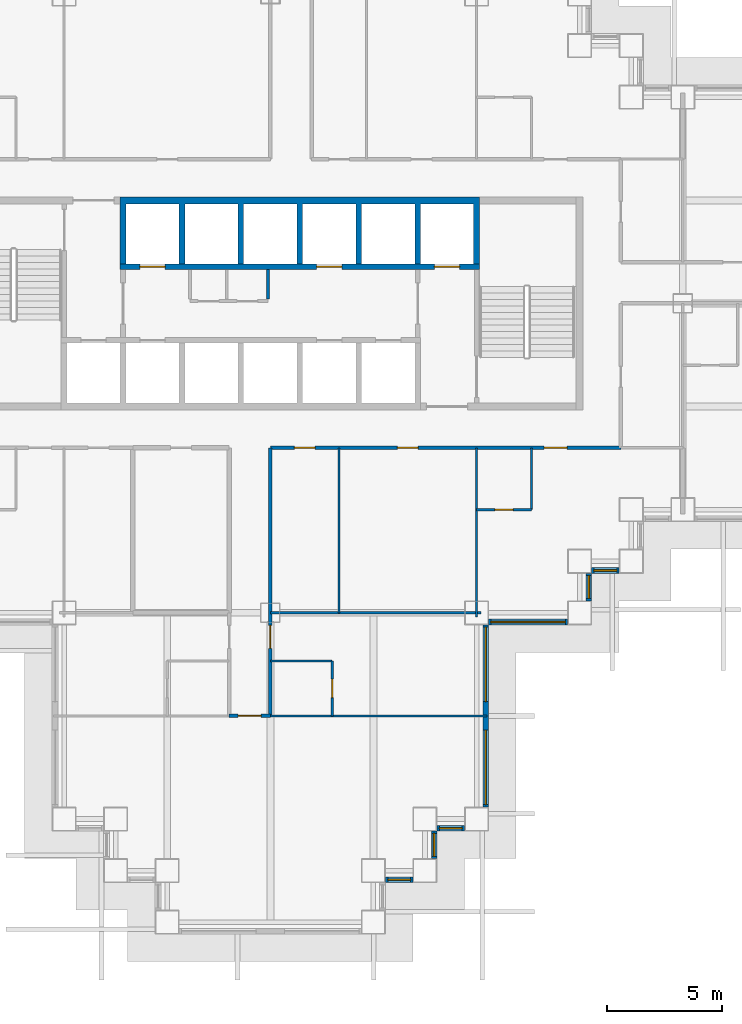
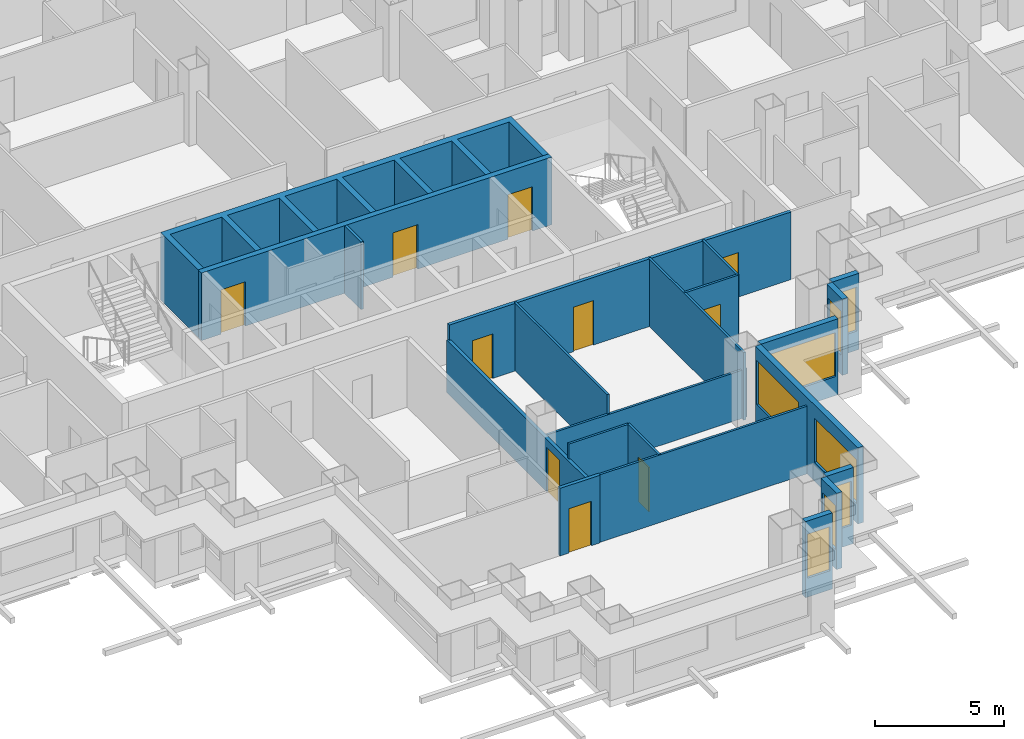
# One storey, part 5 of 15: 21 walls, 10 doors, 8 windows, 18 openings.
"""IFC4 building model written with IfcOpenShell, lengths in metres."""

from ifc_helpers import new_model, si_unit, direction, frame, frame_2d, origin, place, context, subcontext, project, spatial, polyline, rectangle, outline, extrude, material, layer, layer_set, type_object, element, fill, save


model = new_model("IFC4")

# Units and contexts
model_context = context("Model", 3, precision=1e-05, world=origin(), true_north=direction((0.0, 1.0)))
body_context = subcontext(model_context, "Body", "Model", "MODEL_VIEW")
ifc_project = project(units=[si_unit("LENGTHUNIT", "METRE"), si_unit("AREAUNIT", "SQUARE_METRE"), si_unit("VOLUMEUNIT", "CUBIC_METRE"), si_unit("PLANEANGLEUNIT", "RADIAN"), si_unit("MASSUNIT", "GRAM", prefix="KILO")], contexts=[model_context])

# Site, building, storey
site_placement = place(None, origin())
site = spatial("IfcSite", under=ifc_project, at=site_placement, CompositionType="ELEMENT")
building_placement = place(site_placement, origin())
building = spatial("IfcBuilding", under=site, at=building_placement, Name="Caravel Reach Hotel and Residences", CompositionType="ELEMENT")
storey_placement = place(building_placement, frame((0.0, 0.0, 44.39990234375)))
storey = spatial("IfcBuildingStorey", under=building, at=storey_placement, Name="L09", CompositionType="ELEMENT", Elevation=44.39990234375)

# Wall
ifc_material_1 = material(Name="Gypsum board on steel stud", Category="steel")
ifc_layer_1 = layer(ifc_material_1, 0.10009765625)
ifc_layer_set_1 = layer_set([ifc_layer_1], Name="Bathroom pod wall 100 mm")
wall_type_1 = type_object("IfcWallType", Name="Bathroom pod wall 100 mm", PredefinedType="PARTITIONING", material=ifc_layer_set_1)
wall_1_placement = place(storey_placement, frame((31.5, 11.39990234375, 0.0), z_axis=(0.0, 0.0, 1.0), x_axis=(1.0, 0.0, 0.0)))
element("IfcWall", 1, at=wall_1_placement, inside=storey, type_object=wall_type_1, Name="L09 wall w074", PredefinedType="PARTITIONING", context=body_context, shape_type="SweptSolid", body=[
    extrude(rectangle(XDim=2.699951171875, YDim=0.10009765625, at=frame_2d((1.35009765625, 0.0))), origin(), (0.0, 0.0, 1.0), 3.2001953125),
])

# Wall, opening, door
wall_2_placement = place(storey_placement, frame((40.5, 18.0, 0.0), z_axis=(0.0, 0.0, 1.0), x_axis=(1.0, 0.0, 0.0)))
wall_2 = element("IfcWall", 2, at=wall_2_placement, inside=storey, type_object=wall_type_1, Name="L09 wall w077", PredefinedType="PARTITIONING", context=body_context, shape_type="SweptSolid", body=[
    extrude(rectangle(XDim=2.39990234375, YDim=0.10009765625, at=frame_2d((1.199951171875, 0.0))), origin(), (0.0, 0.0, 1.0), 3.2001953125),
])
opening_1_placement = place(wall_2_placement, frame((0.800048828125, 0.0, 0.0)))
opening_1 = element("IfcOpeningElement", 3, at=opening_1_placement, cuts=wall_2, Name="Opening D09-049", PredefinedType="OPENING", context=body_context, shape_type="SweptSolid", body=[
    extrude(rectangle(XDim=0.800048828125, YDim=2.10009765625, at=frame_2d((0.39990234375, 1.050048828125))), frame((0.0, 0.06005859375, 0.0), z_axis=(0.0, -1.0, 0.0), x_axis=(1.0, 0.0, 0.0)), (0.0, 0.0, 1.0), 0.1201171875),
])
ifc_material_2 = material(Name="Timber and steel door leaf", Category="steel")
door_type_1 = type_object("IfcDoorType", Name="Bathroom door 800 x 2100", OperationType="SINGLE_SWING_LEFT", PredefinedType="DOOR", material=ifc_material_2)
door_1_placement = place(opening_1_placement, origin())
door_1 = element("IfcDoor", 4, at=door_1_placement, inside=storey, type_object=door_type_1, Name="door D09-049", OperationType="SINGLE_SWING_RIGHT", OverallHeight=2.10009765625, OverallWidth=0.800048828125, PredefinedType="DOOR", context=body_context, shape_type="SweptSolid", body=[
    extrude(rectangle(XDim=0.800048828125, YDim=2.10009765625, at=frame_2d((0.39990234375, 1.050048828125))), frame((0.0, 0.02490234375, 0.0), z_axis=(0.0, -1.0, 0.0), x_axis=(1.0, 0.0, 0.0)), (0.0, 0.0, 1.0), 0.050048828125),
])
fill(opening_1, door_1)

wall_3_placement = place(storey_placement, frame((34.199951171875, 9.0, 0.0), z_axis=(0.0, 0.0, 1.0), x_axis=(0.0, 1.0, 0.0)))
wall_3 = element("IfcWall", 5, at=wall_3_placement, inside=storey, type_object=wall_type_1, Name="L09 wall w097", PredefinedType="PARTITIONING", context=body_context, shape_type="SweptSolid", body=[
    extrude(rectangle(XDim=2.39990234375, YDim=0.10009765625, at=frame_2d((1.199951171875, 0.0))), origin(), (0.0, 0.0, 1.0), 3.2001953125),
])
opening_2_placement = place(wall_3_placement, frame((0.800048828125, 0.0, 0.0)))
opening_2 = element("IfcOpeningElement", 6, at=opening_2_placement, cuts=wall_3, Name="Opening D09-036", PredefinedType="OPENING", context=body_context, shape_type="SweptSolid", body=[
    extrude(rectangle(XDim=0.800048828125, YDim=2.10009765625, at=frame_2d((0.39990234375, 1.050048828125))), frame((0.0, 0.06005859375, 0.0), z_axis=(0.0, -1.0, 0.0), x_axis=(1.0, 0.0, 0.0)), (0.0, 0.0, 1.0), 0.1201171875),
])
door_2_placement = place(opening_2_placement, origin())
door_2 = element("IfcDoor", 7, at=door_2_placement, inside=storey, type_object=door_type_1, Name="door D09-036", OperationType="SINGLE_SWING_RIGHT", OverallHeight=2.10009765625, OverallWidth=0.800048828125, PredefinedType="DOOR", context=body_context, shape_type="SweptSolid", body=[
    extrude(rectangle(XDim=0.800048828125, YDim=2.10009765625, at=frame_2d((0.39990234375, 1.050048828125))), frame((0.0, 0.02490234375, 0.0), z_axis=(0.0, -1.0, 0.0), x_axis=(1.0, 0.0, 0.0)), (0.0, 0.0, 1.0), 0.050048828125),
])
fill(opening_2, door_2)

# Wall
wall_4_placement = place(storey_placement, frame((42.89990234375, 18.0, 0.0), z_axis=(0.0, 0.0, 1.0), x_axis=(0.0, 1.0, 0.0)))
element("IfcWall", 8, at=wall_4_placement, inside=storey, type_object=wall_type_1, Name="L09 wall w100", PredefinedType="PARTITIONING", context=body_context, shape_type="SweptSolid", body=[
    extrude(rectangle(XDim=2.699951171875, YDim=0.10009765625, at=frame_2d((1.35009765625, 0.0))), origin(), (0.0, 0.0, 1.0), 3.2001953125),
])

# Wall, openings, doors
ifc_material_3 = material(Name="Gypsum board on steel stud, fire-rated", Category="steel")
ifc_layer_2 = layer(ifc_material_3, 0.14990234375)
ifc_layer_set_2 = layer_set([ifc_layer_2], Name="Corridor wall 150 mm EI 60")
wall_type_2 = type_object("IfcWallType", Name="Corridor wall 150 mm EI 60", PredefinedType="PARTITIONING", material=ifc_layer_set_2)
wall_5_placement = place(storey_placement, frame((31.5, 20.699951171875, 0.0), z_axis=(0.0, 0.0, 1.0), x_axis=(1.0, 0.0, 0.0)))
wall_5 = element("IfcWall", 9, at=wall_5_placement, inside=storey, type_object=wall_type_2, Name="L09 wall w004", PredefinedType="PARTITIONING", context=body_context, shape_type="SweptSolid", body=[
    extrude(rectangle(XDim=15.300048828125, YDim=0.14990234375, at=frame_2d((7.64990234375, 0.0))), origin(), (0.0, 0.0, 1.0), 3.2001953125),
])
opening_3_placement = place(wall_5_placement, frame((11.949951171875, 0.0, 0.0)))
opening_3 = element("IfcOpeningElement", 10, at=opening_3_placement, cuts=wall_5, Name="Opening D09-048", PredefinedType="OPENING", context=body_context, shape_type="SweptSolid", body=[
    extrude(rectangle(XDim=1.0, YDim=2.10009765625, at=frame_2d((0.5, 1.050048828125))), frame((0.0, 0.0849609375, 0.0), z_axis=(0.0, -1.0, 0.0), x_axis=(1.0, 0.0, 0.0)), (0.0, 0.0, 1.0), 0.169921875),
])
opening_4_placement = place(wall_5_placement, frame((1.050048828125, 0.0, 0.0)))
opening_4 = element("IfcOpeningElement", 11, at=opening_4_placement, cuts=wall_5, Name="Opening D09-055", PredefinedType="OPENING", context=body_context, shape_type="SweptSolid", body=[
    extrude(rectangle(XDim=0.89990234375, YDim=2.10009765625, at=frame_2d((0.449951171875, 1.050048828125))), frame((0.0, 0.0849609375, 0.0), z_axis=(0.0, -1.0, 0.0), x_axis=(1.0, 0.0, 0.0)), (0.0, 0.0, 1.0), 0.169921875),
])
opening_5_placement = place(wall_5_placement, frame((5.550048828125, 0.0, 0.0)))
opening_5 = element("IfcOpeningElement", 12, at=opening_5_placement, cuts=wall_5, Name="Opening D09-056", PredefinedType="OPENING", context=body_context, shape_type="SweptSolid", body=[
    extrude(rectangle(XDim=0.89990234375, YDim=2.10009765625, at=frame_2d((0.449951171875, 1.050048828125))), frame((0.0, 0.0849609375, 0.0), z_axis=(0.0, -1.0, 0.0), x_axis=(1.0, 0.0, 0.0)), (0.0, 0.0, 1.0), 0.169921875),
])
ifc_material_4 = material(Name="Timber and steel door leaf", Category="steel")
door_type_2 = type_object("IfcDoorType", Name="Door 900 x 2100 timber", OperationType="SINGLE_SWING_LEFT", PredefinedType="DOOR", material=ifc_material_4)
door_3_placement = place(opening_4_placement, origin())
door_3 = element("IfcDoor", 13, at=door_3_placement, inside=storey, type_object=door_type_2, Name="door D09-055", OperationType="SINGLE_SWING_LEFT", OverallHeight=2.10009765625, OverallWidth=0.89990234375, PredefinedType="DOOR", context=body_context, shape_type="SweptSolid", body=[
    extrude(rectangle(XDim=0.89990234375, YDim=2.10009765625, at=frame_2d((0.449951171875, 1.050048828125))), frame((0.0, 0.02490234375, 0.0), z_axis=(0.0, -1.0, 0.0), x_axis=(1.0, 0.0, 0.0)), (0.0, 0.0, 1.0), 0.050048828125),
])
fill(opening_4, door_3)
door_4_placement = place(opening_5_placement, origin())
door_4 = element("IfcDoor", 14, at=door_4_placement, inside=storey, type_object=door_type_2, Name="door D09-056", OperationType="SINGLE_SWING_LEFT", OverallHeight=2.10009765625, OverallWidth=0.89990234375, PredefinedType="DOOR", context=body_context, shape_type="SweptSolid", body=[
    extrude(rectangle(XDim=0.89990234375, YDim=2.10009765625, at=frame_2d((0.449951171875, 1.050048828125))), frame((0.0, 0.02490234375, 0.0), z_axis=(0.0, -1.0, 0.0), x_axis=(1.0, 0.0, 0.0)), (0.0, 0.0, 1.0), 0.050048828125),
])
fill(opening_5, door_4)
ifc_material_5 = material(Name="Steel fire door leaf", Category="steel")
door_type_3 = type_object("IfcDoorType", Name="Guest room door 1000 x 2100 EI 30", OperationType="SINGLE_SWING_LEFT", PredefinedType="DOOR", material=ifc_material_5)
door_5_placement = place(opening_3_placement, origin())
door_5 = element("IfcDoor", 15, at=door_5_placement, inside=storey, type_object=door_type_3, Name="door D09-048", OperationType="SINGLE_SWING_RIGHT", OverallHeight=2.10009765625, OverallWidth=1.0, PredefinedType="DOOR", context=body_context, shape_type="SweptSolid", body=[
    extrude(rectangle(XDim=1.0, YDim=2.10009765625, at=frame_2d((0.5, 1.050048828125))), frame((0.0, 0.02490234375, 0.0), z_axis=(0.0, -1.0, 0.0), x_axis=(1.0, 0.0, 0.0)), (0.0, 0.0, 1.0), 0.050048828125),
])
fill(opening_3, door_5)

# Wall, opening, door
wall_6_placement = place(storey_placement, frame((29.699951171875, 9.0, 0.0), z_axis=(0.0, 0.0, 1.0), x_axis=(1.0, 0.0, 0.0)))
wall_6 = element("IfcWall", 16, at=wall_6_placement, inside=storey, type_object=wall_type_2, Name="L09 wall w022", PredefinedType="PARTITIONING", context=body_context, shape_type="SweptSolid", body=[
    extrude(rectangle(XDim=1.800048828125, YDim=0.14990234375, at=frame_2d((0.89990234375, 0.0))), origin(), (0.0, 0.0, 1.0), 3.2001953125),
])
opening_6_placement = place(wall_6_placement, frame((0.39990234375, 0.0, 0.0)))
opening_6 = element("IfcOpeningElement", 17, at=opening_6_placement, cuts=wall_6, Name="Opening D09-041", PredefinedType="OPENING", context=body_context, shape_type="SweptSolid", body=[
    extrude(rectangle(XDim=1.0, YDim=2.10009765625, at=frame_2d((0.5, 1.050048828125))), frame((0.0, 0.0849609375, 0.0), z_axis=(0.0, -1.0, 0.0), x_axis=(1.0, 0.0, 0.0)), (0.0, 0.0, 1.0), 0.169921875),
])
door_6_placement = place(opening_6_placement, origin())
door_6 = element("IfcDoor", 18, at=door_6_placement, inside=storey, type_object=door_type_3, Name="door D09-041", OperationType="SINGLE_SWING_LEFT", OverallHeight=2.10009765625, OverallWidth=1.0, PredefinedType="DOOR", context=body_context, shape_type="SweptSolid", body=[
    extrude(rectangle(XDim=1.0, YDim=2.10009765625, at=frame_2d((0.5, 1.050048828125))), frame((0.0, 0.02490234375, 0.0), z_axis=(0.0, -1.0, 0.0), x_axis=(1.0, 0.0, 0.0)), (0.0, 0.0, 1.0), 0.050048828125),
])
fill(opening_6, door_6)

wall_7_placement = place(storey_placement, frame((31.5, 9.0, 0.0), z_axis=(0.0, 0.0, 1.0), x_axis=(0.0, 1.0, 0.0)))
wall_7 = element("IfcWall", 19, at=wall_7_placement, inside=storey, type_object=wall_type_2, Name="L09 wall w026", PredefinedType="PARTITIONING", context=body_context, shape_type="SweptSolid", body=[
    extrude(rectangle(XDim=11.699951171875, YDim=0.14990234375, at=frame_2d((5.85009765625, 0.0))), origin(), (0.0, 0.0, 1.0), 2.47998046875),
])
opening_7_placement = place(wall_7_placement, frame((2.949951171875, 0.0, 0.0)))
opening_7 = element("IfcOpeningElement", 20, at=opening_7_placement, cuts=wall_7, Name="Opening D09-035", PredefinedType="OPENING", context=body_context, shape_type="SweptSolid", body=[
    extrude(rectangle(XDim=1.0, YDim=2.10009765625, at=frame_2d((0.5, 1.050048828125))), frame((0.0, 0.0849609375, 0.0), z_axis=(0.0, -1.0, 0.0), x_axis=(1.0, 0.0, 0.0)), (0.0, 0.0, 1.0), 0.169921875),
])
door_7_placement = place(opening_7_placement, origin())
door_7 = element("IfcDoor", 21, at=door_7_placement, inside=storey, type_object=door_type_3, Name="door D09-035", OperationType="SINGLE_SWING_RIGHT", OverallHeight=2.10009765625, OverallWidth=1.0, PredefinedType="DOOR", context=body_context, shape_type="SweptSolid", body=[
    extrude(rectangle(XDim=1.0, YDim=2.10009765625, at=frame_2d((0.5, 1.050048828125))), frame((0.0, 0.02490234375, 0.0), z_axis=(0.0, -1.0, 0.0), x_axis=(1.0, 0.0, 0.0)), (0.0, 0.0, 1.0), 0.050048828125),
])
fill(opening_7, door_7)

# Wall, opening, window
ifc_material_6 = material(Name="Insulated rainscreen wall, aluminium cladding", Category="aluminium")
ifc_layer_3 = layer(ifc_material_6, 0.25)
ifc_layer_set_3 = layer_set([ifc_layer_3], Name="EW1 Tower rainscreen wall")
wall_type_3 = type_object("IfcWallType", Name="EW1 Tower rainscreen wall", PredefinedType="SOLIDWALL", material=ifc_layer_set_3)
wall_8_placement = place(storey_placement, frame((36.52490234375, 1.85009765625, 0.0), z_axis=(0.0, 0.0, 1.0), x_axis=(1.0, 0.0, 0.0)))
wall_8 = element("IfcWall", 22, at=wall_8_placement, inside=storey, type_object=wall_type_3, Name="External wall L09 S7.1", PredefinedType="SOLIDWALL", context=body_context, shape_type="SweptSolid", body=[
    extrude(rectangle(XDim=1.2001953125, YDim=0.25, at=frame_2d((0.60009765625, 0.0))), origin(), (0.0, 0.0, 1.0), 3.60009765625),
])
opening_8_placement = place(wall_8_placement, frame((0.10009765625, 0.0, 0.89990234375)))
opening_8 = element("IfcOpeningElement", 23, at=opening_8_placement, cuts=wall_8, Name="Opening WN1", PredefinedType="OPENING", context=body_context, shape_type="SweptSolid", body=[
    extrude(rectangle(XDim=1.0, YDim=2.080078125, at=frame_2d((0.5, 1.0400390625))), frame((0.0, 0.135009765625, 0.0), z_axis=(0.0, -1.0, 0.0), x_axis=(1.0, 0.0, 0.0)), (0.0, 0.0, 1.0), 0.27001953125),
])
ifc_material_7 = material(Name="Dark low-e glazing in black aluminium frame", Category="aluminium")
window_type_1 = type_object("IfcWindowType", Name="Hotel suite corner window 1000 x 2080", PartitioningType="SINGLE_PANEL", PredefinedType="WINDOW", material=ifc_material_7)
window_1_placement = place(opening_8_placement, origin())
window_1 = element("IfcWindow", 24, at=window_1_placement, inside=storey, type_object=window_type_1, Name="Window L09 S7.1.1", OverallHeight=2.080078125, OverallWidth=1.0, PartitioningType="SINGLE_PANEL", PredefinedType="WINDOW", context=body_context, shape_type="SweptSolid", body=[
    extrude(rectangle(XDim=1.0, YDim=2.080078125, at=frame_2d((0.5, 1.0400390625))), frame((0.0, 0.030029296875, 0.0), z_axis=(0.0, -1.0, 0.0), x_axis=(1.0, 0.0, 0.0)), (0.0, 0.0, 1.0), 0.06005859375),
])
fill(opening_8, window_1)

wall_9_placement = place(storey_placement, frame((38.64990234375, 2.77490234375, 0.0), z_axis=(0.0, 0.0, 1.0), x_axis=(0.0, 1.0, 0.0)))
wall_9 = element("IfcWall", 25, at=wall_9_placement, inside=storey, type_object=wall_type_3, Name="External wall L09 E8.1", PredefinedType="SOLIDWALL", context=body_context, shape_type="SweptSolid", body=[
    extrude(rectangle(XDim=1.2001953125, YDim=0.25, at=frame_2d((0.60009765625, 0.0))), origin(), (0.0, 0.0, 1.0), 3.60009765625),
])
opening_9_placement = place(wall_9_placement, frame((0.10009765625, 0.0, 0.89990234375)))
opening_9 = element("IfcOpeningElement", 26, at=opening_9_placement, cuts=wall_9, Name="Opening WN1", PredefinedType="OPENING", context=body_context, shape_type="SweptSolid", body=[
    extrude(rectangle(XDim=1.0, YDim=2.080078125, at=frame_2d((0.5, 1.0400390625))), frame((0.0, 0.135009765625, 0.0), z_axis=(0.0, -1.0, 0.0), x_axis=(1.0, 0.0, 0.0)), (0.0, 0.0, 1.0), 0.27001953125),
])
window_2_placement = place(opening_9_placement, origin())
window_2 = element("IfcWindow", 27, at=window_2_placement, inside=storey, type_object=window_type_1, Name="Window L09 E8.1.1", OverallHeight=2.080078125, OverallWidth=1.0, PartitioningType="SINGLE_PANEL", PredefinedType="WINDOW", context=body_context, shape_type="SweptSolid", body=[
    extrude(rectangle(XDim=1.0, YDim=2.080078125, at=frame_2d((0.5, 1.0400390625))), frame((0.0, 0.030029296875, 0.0), z_axis=(0.0, -1.0, 0.0), x_axis=(1.0, 0.0, 0.0)), (0.0, 0.0, 1.0), 0.06005859375),
])
fill(opening_9, window_2)

wall_10_placement = place(storey_placement, frame((38.77490234375, 4.10009765625, 0.0), z_axis=(0.0, 0.0, 1.0), x_axis=(1.0, 0.0, 0.0)))
wall_10 = element("IfcWall", 28, at=wall_10_placement, inside=storey, type_object=wall_type_3, Name="External wall L09 S9.1", PredefinedType="SOLIDWALL", context=body_context, shape_type="SweptSolid", body=[
    extrude(rectangle(XDim=1.2001953125, YDim=0.25, at=frame_2d((0.60009765625, 0.0))), origin(), (0.0, 0.0, 1.0), 3.60009765625),
])
opening_10_placement = place(wall_10_placement, frame((0.10009765625, 0.0, 0.89990234375)))
opening_10 = element("IfcOpeningElement", 29, at=opening_10_placement, cuts=wall_10, Name="Opening WN1", PredefinedType="OPENING", context=body_context, shape_type="SweptSolid", body=[
    extrude(rectangle(XDim=1.0, YDim=2.080078125, at=frame_2d((0.5, 1.0400390625))), frame((0.0, 0.135009765625, 0.0), z_axis=(0.0, -1.0, 0.0), x_axis=(1.0, 0.0, 0.0)), (0.0, 0.0, 1.0), 0.27001953125),
])
window_3_placement = place(opening_10_placement, origin())
window_3 = element("IfcWindow", 30, at=window_3_placement, inside=storey, type_object=window_type_1, Name="Window L09 S9.1.1", OverallHeight=2.080078125, OverallWidth=1.0, PartitioningType="SINGLE_PANEL", PredefinedType="WINDOW", context=body_context, shape_type="SweptSolid", body=[
    extrude(rectangle(XDim=1.0, YDim=2.080078125, at=frame_2d((0.5, 1.0400390625))), frame((0.0, 0.030029296875, 0.0), z_axis=(0.0, -1.0, 0.0), x_axis=(1.0, 0.0, 0.0)), (0.0, 0.0, 1.0), 0.06005859375),
])
fill(opening_10, window_3)

# Wall, openings, windows
wall_11_placement = place(storey_placement, frame((40.89990234375, 5.02490234375, 0.0), z_axis=(0.0, 0.0, 1.0), x_axis=(0.0, 1.0, 0.0)))
wall_11 = element("IfcWall", 31, at=wall_11_placement, inside=storey, type_object=wall_type_3, Name="External wall L09 E10.1", PredefinedType="SOLIDWALL", context=body_context, shape_type="SweptSolid", body=[
    extrude(rectangle(XDim=7.9501953125, YDim=0.25, at=frame_2d((3.97509765625, 0.0))), origin(), (0.0, 0.0, 1.0), 3.60009765625),
])
opening_11_placement = place(wall_11_placement, frame((0.10009765625, 0.0, 0.89990234375)))
opening_11 = element("IfcOpeningElement", 32, at=opening_11_placement, cuts=wall_11, Name="Opening WN2", PredefinedType="OPENING", context=body_context, shape_type="SweptSolid", body=[
    extrude(rectangle(XDim=3.25, YDim=2.080078125, at=frame_2d((1.625, 1.0400390625))), frame((0.0, 0.135009765625, 0.0), z_axis=(0.0, -1.0, 0.0), x_axis=(1.0, 0.0, 0.0)), (0.0, 0.0, 1.0), 0.27001953125),
])
opening_12_placement = place(wall_11_placement, frame((4.60009765625, 0.0, 0.89990234375)))
opening_12 = element("IfcOpeningElement", 33, at=opening_12_placement, cuts=wall_11, Name="Opening WN2", PredefinedType="OPENING", context=body_context, shape_type="SweptSolid", body=[
    extrude(rectangle(XDim=3.25, YDim=2.080078125, at=frame_2d((1.625, 1.0400390625))), frame((0.0, 0.135009765625, 0.0), z_axis=(0.0, -1.0, 0.0), x_axis=(1.0, 0.0, 0.0)), (0.0, 0.0, 1.0), 0.27001953125),
])
ifc_material_8 = material(Name="Dark low-e glazing in black aluminium frame", Category="aluminium")
window_type_2 = type_object("IfcWindowType", Name="Hotel guest room window 3250 x 2080", PartitioningType="SINGLE_PANEL", PredefinedType="WINDOW", material=ifc_material_8)
window_4_placement = place(opening_11_placement, origin())
window_4 = element("IfcWindow", 34, at=window_4_placement, inside=storey, type_object=window_type_2, Name="Window L09 E10.1.1", OverallHeight=2.080078125, OverallWidth=3.25, PartitioningType="SINGLE_PANEL", PredefinedType="WINDOW", context=body_context, shape_type="SweptSolid", body=[
    extrude(rectangle(XDim=3.25, YDim=2.080078125, at=frame_2d((1.625, 1.0400390625))), frame((0.0, 0.030029296875, 0.0), z_axis=(0.0, -1.0, 0.0), x_axis=(1.0, 0.0, 0.0)), (0.0, 0.0, 1.0), 0.06005859375),
])
fill(opening_11, window_4)
window_5_placement = place(opening_12_placement, origin())
window_5 = element("IfcWindow", 35, at=window_5_placement, inside=storey, type_object=window_type_2, Name="Window L09 E10.1.2", OverallHeight=2.080078125, OverallWidth=3.25, PartitioningType="SINGLE_PANEL", PredefinedType="WINDOW", context=body_context, shape_type="SweptSolid", body=[
    extrude(rectangle(XDim=3.25, YDim=2.080078125, at=frame_2d((1.625, 1.0400390625))), frame((0.0, 0.030029296875, 0.0), z_axis=(0.0, -1.0, 0.0), x_axis=(1.0, 0.0, 0.0)), (0.0, 0.0, 1.0), 0.06005859375),
])
fill(opening_12, window_5)

# Wall, opening, window
wall_12_placement = place(storey_placement, frame((41.02490234375, 13.10009765625, 0.0), z_axis=(0.0, 0.0, 1.0), x_axis=(1.0, 0.0, 0.0)))
wall_12 = element("IfcWall", 36, at=wall_12_placement, inside=storey, type_object=wall_type_3, Name="External wall L09 S11.1", PredefinedType="SOLIDWALL", context=body_context, shape_type="SweptSolid", body=[
    extrude(rectangle(XDim=3.4501953125, YDim=0.25, at=frame_2d((1.72509765625, 0.0))), origin(), (0.0, 0.0, 1.0), 3.60009765625),
])
opening_13_placement = place(wall_12_placement, frame((0.10009765625, 0.0, 0.89990234375)))
opening_13 = element("IfcOpeningElement", 37, at=opening_13_placement, cuts=wall_12, Name="Opening WN2", PredefinedType="OPENING", context=body_context, shape_type="SweptSolid", body=[
    extrude(rectangle(XDim=3.25, YDim=2.080078125, at=frame_2d((1.625, 1.0400390625))), frame((0.0, 0.135009765625, 0.0), z_axis=(0.0, -1.0, 0.0), x_axis=(1.0, 0.0, 0.0)), (0.0, 0.0, 1.0), 0.27001953125),
])
window_6_placement = place(opening_13_placement, origin())
window_6 = element("IfcWindow", 38, at=window_6_placement, inside=storey, type_object=window_type_2, Name="Window L09 S11.1.1", OverallHeight=2.080078125, OverallWidth=3.25, PartitioningType="SINGLE_PANEL", PredefinedType="WINDOW", context=body_context, shape_type="SweptSolid", body=[
    extrude(rectangle(XDim=3.25, YDim=2.080078125, at=frame_2d((1.625, 1.0400390625))), frame((0.0, 0.030029296875, 0.0), z_axis=(0.0, -1.0, 0.0), x_axis=(1.0, 0.0, 0.0)), (0.0, 0.0, 1.0), 0.06005859375),
])
fill(opening_13, window_6)

wall_13_placement = place(storey_placement, frame((45.39990234375, 14.02490234375, 0.0), z_axis=(0.0, 0.0, 1.0), x_axis=(0.0, 1.0, 0.0)))
wall_13 = element("IfcWall", 39, at=wall_13_placement, inside=storey, type_object=wall_type_3, Name="External wall L09 E12.1", PredefinedType="SOLIDWALL", context=body_context, shape_type="SweptSolid", body=[
    extrude(rectangle(XDim=1.2001953125, YDim=0.25, at=frame_2d((0.60009765625, 0.0))), origin(), (0.0, 0.0, 1.0), 3.60009765625),
])
opening_14_placement = place(wall_13_placement, frame((0.10009765625, 0.0, 0.89990234375)))
opening_14 = element("IfcOpeningElement", 40, at=opening_14_placement, cuts=wall_13, Name="Opening WN1", PredefinedType="OPENING", context=body_context, shape_type="SweptSolid", body=[
    extrude(rectangle(XDim=1.0, YDim=2.080078125, at=frame_2d((0.5, 1.0400390625))), frame((0.0, 0.135009765625, 0.0), z_axis=(0.0, -1.0, 0.0), x_axis=(1.0, 0.0, 0.0)), (0.0, 0.0, 1.0), 0.27001953125),
])
window_7_placement = place(opening_14_placement, origin())
window_7 = element("IfcWindow", 41, at=window_7_placement, inside=storey, type_object=window_type_1, Name="Window L09 E12.1.1", OverallHeight=2.080078125, OverallWidth=1.0, PartitioningType="SINGLE_PANEL", PredefinedType="WINDOW", context=body_context, shape_type="SweptSolid", body=[
    extrude(rectangle(XDim=1.0, YDim=2.080078125, at=frame_2d((0.5, 1.0400390625))), frame((0.0, 0.030029296875, 0.0), z_axis=(0.0, -1.0, 0.0), x_axis=(1.0, 0.0, 0.0)), (0.0, 0.0, 1.0), 0.06005859375),
])
fill(opening_14, window_7)

wall_14_placement = place(storey_placement, frame((45.52490234375, 15.35009765625, 0.0), z_axis=(0.0, 0.0, 1.0), x_axis=(1.0, 0.0, 0.0)))
wall_14 = element("IfcWall", 42, at=wall_14_placement, inside=storey, type_object=wall_type_3, Name="External wall L09 S13.1", PredefinedType="SOLIDWALL", context=body_context, shape_type="SweptSolid", body=[
    extrude(rectangle(XDim=1.2001953125, YDim=0.25, at=frame_2d((0.60009765625, 0.0))), origin(), (0.0, 0.0, 1.0), 3.60009765625),
])
opening_15_placement = place(wall_14_placement, frame((0.10009765625, 0.0, 0.89990234375)))
opening_15 = element("IfcOpeningElement", 43, at=opening_15_placement, cuts=wall_14, Name="Opening WN1", PredefinedType="OPENING", context=body_context, shape_type="SweptSolid", body=[
    extrude(rectangle(XDim=1.0, YDim=2.080078125, at=frame_2d((0.5, 1.0400390625))), frame((0.0, 0.135009765625, 0.0), z_axis=(0.0, -1.0, 0.0), x_axis=(1.0, 0.0, 0.0)), (0.0, 0.0, 1.0), 0.27001953125),
])
window_8_placement = place(opening_15_placement, origin())
window_8 = element("IfcWindow", 44, at=window_8_placement, inside=storey, type_object=window_type_1, Name="Window L09 S13.1.1", OverallHeight=2.080078125, OverallWidth=1.0, PartitioningType="SINGLE_PANEL", PredefinedType="WINDOW", context=body_context, shape_type="SweptSolid", body=[
    extrude(rectangle(XDim=1.0, YDim=2.080078125, at=frame_2d((0.5, 1.0400390625))), frame((0.0, 0.030029296875, 0.0), z_axis=(0.0, -1.0, 0.0), x_axis=(1.0, 0.0, 0.0)), (0.0, 0.0, 1.0), 0.06005859375),
])
fill(opening_15, window_8)

# Walls
ifc_material_9 = material(Name="Gypsum board on steel stud", Category="steel")
ifc_layer_4 = layer(ifc_material_9, 0.10009765625)
ifc_layer_set_4 = layer_set([ifc_layer_4], Name="Partition 100 mm")
wall_type_4 = type_object("IfcWallType", Name="Partition 100 mm", PredefinedType="PARTITIONING", material=ifc_layer_set_4)
wall_15_placement = place(storey_placement, frame((31.5, 13.5, 0.0), z_axis=(0.0, 0.0, 1.0), x_axis=(1.0, 0.0, 0.0)))
element("IfcWall", 45, at=wall_15_placement, inside=storey, type_object=wall_type_4, Name="L09 wall w038", PredefinedType="PARTITIONING", context=body_context, shape_type="SweptSolid", body=[
    extrude(rectangle(XDim=9.18994140625, YDim=0.10009765625, at=frame_2d((4.594970703125, 0.0))), origin(), (0.0, 0.0, 1.0), 2.280029296875),
])
wall_16_placement = place(storey_placement, frame((31.5, 9.0, 0.0), z_axis=(0.0, 0.0, 1.0), x_axis=(1.0, 0.0, 0.0)))
element("IfcWall", 46, at=wall_16_placement, inside=storey, type_object=wall_type_4, Name="L09 wall w052", PredefinedType="PARTITIONING", context=body_context, shape_type="SweptSolid", body=[
    extrude(rectangle(XDim=9.465087890625, YDim=0.10009765625, at=frame_2d((4.732421875, 0.0))), origin(), (0.0, 0.0, 1.0), 3.2001953125),
])
wall_17_placement = place(storey_placement, frame((34.5, 13.5, 0.0), z_axis=(0.0, 0.0, 1.0), x_axis=(0.0, 1.0, 0.0)))
element("IfcWall", 47, at=wall_17_placement, inside=storey, type_object=wall_type_4, Name="L09 wall w058", PredefinedType="PARTITIONING", context=body_context, shape_type="SweptSolid", body=[
    extrude(rectangle(XDim=7.199951171875, YDim=0.10009765625, at=frame_2d((3.60009765625, 0.0))), origin(), (0.0, 0.0, 1.0), 3.2001953125),
])
wall_18_placement = place(storey_placement, frame((40.5, 13.31005859375, 0.0), z_axis=(0.0, 0.0, 1.0), x_axis=(0.0, 1.0, 0.0)))
element("IfcWall", 48, at=wall_18_placement, inside=storey, type_object=wall_type_4, Name="L09 wall w061", PredefinedType="PARTITIONING", context=body_context, shape_type="SweptSolid", body=[
    extrude(rectangle(XDim=7.389892578125, YDim=0.10009765625, at=frame_2d((3.69482421875, 0.0))), origin(), (0.0, 0.0, 1.0), 3.2001953125),
])
ifc_material_10 = material(Name="Autoclaved aerated block wall")
ifc_layer_5 = layer(ifc_material_10, 0.125)
ifc_layer_set_5 = layer_set([ifc_layer_5], Name="Riser wall 125 mm EI 60")
wall_type_5 = type_object("IfcWallType", Name="Riser wall 125 mm EI 60", PredefinedType="PARTITIONING", material=ifc_layer_set_5)
wall_19_placement = place(storey_placement, frame((31.39990234375, 28.47509765625, 0.0), z_axis=(0.0, 0.0, 1.0), x_axis=(0.0, -1.0, 0.0)))
element("IfcWall", 49, at=wall_19_placement, inside=storey, type_object=wall_type_5, Name="L09 service room partition N1", PredefinedType="PARTITIONING", context=body_context, shape_type="SweptSolid", body=[
    extrude(rectangle(XDim=1.275146484375, YDim=0.125, at=frame_2d((0.6376953125, 0.0))), origin(), (0.0, 0.0, 1.0), 3.2001953125),
])
ifc_material_11 = material(Name="Concrete C60", Category="concrete")
ifc_layer_6 = layer(ifc_material_11, 0.25)
ifc_layer_set_6 = layer_set([ifc_layer_6], Name="Shaft wall 250 mm EI 120")
wall_type_6 = type_object("IfcWallType", Name="Shaft wall 250 mm EI 120", PredefinedType="SHEAR", material=ifc_layer_set_6)
wall_20_placement = place(storey_placement, origin())
element("IfcWall", 50, at=wall_20_placement, inside=storey, type_object=wall_type_6, Name="L09 lift shaft wall N1", PredefinedType="SHEAR", context=body_context, shape_type="SweptSolid", body=[
    extrude(outline(polyline([(24.946533203125, 28.72509765625), (25.196533203125, 28.72509765625), (25.196533203125, 31.35009765625), (27.517822265625, 31.35009765625), (27.517822265625, 28.72509765625), (27.767822265625, 28.72509765625), (27.767822265625, 31.35009765625), (30.08935546875, 31.35009765625), (30.08935546875, 28.72509765625), (30.33935546875, 28.72509765625), (30.33935546875, 31.35009765625), (32.66064453125, 31.35009765625), (32.66064453125, 28.72509765625), (32.91064453125, 28.72509765625), (32.91064453125, 31.35009765625), (35.232177734375, 31.35009765625), (35.232177734375, 28.72509765625), (35.482177734375, 28.72509765625), (35.482177734375, 31.35009765625), (37.803466796875, 31.35009765625), (37.803466796875, 28.72509765625), (38.053466796875, 28.72509765625), (38.053466796875, 31.35009765625), (40.375, 31.35009765625), (40.375, 28.72509765625), (40.625, 28.72509765625), (40.625, 31.64990234375), (24.946533203125, 31.64990234375), (24.946533203125, 28.72509765625)])), origin(), (0.0, 0.0, 1.0), 3.2001953125),
])

# Wall, openings, doors
wall_21_placement = place(storey_placement, frame((24.946533203125, 28.60009765625, 0.0), z_axis=(0.0, 0.0, 1.0), x_axis=(1.0, 0.0, 0.0)))
wall_21 = element("IfcWall", 51, at=wall_21_placement, inside=storey, type_object=wall_type_6, Name="L09 lobby wall N1", PredefinedType="SHEAR", context=body_context, shape_type="SweptSolid", body=[
    extrude(rectangle(XDim=15.678466796875, YDim=0.25, at=frame_2d((7.83935546875, 0.0))), origin(), (0.0, 0.0, 1.0), 3.2001953125),
])
opening_16_placement = place(wall_21_placement, frame((0.860595703125, 0.0, 0.0)))
opening_16 = element("IfcOpeningElement", 52, at=opening_16_placement, cuts=wall_21, Name="Opening D09-004", PredefinedType="OPENING", context=body_context, shape_type="SweptSolid", body=[
    extrude(rectangle(XDim=1.10009765625, YDim=2.10009765625, at=frame_2d((0.550048828125, 1.050048828125))), frame((0.0, 0.135009765625, 0.0), z_axis=(0.0, -1.0, 0.0), x_axis=(1.0, 0.0, 0.0)), (0.0, 0.0, 1.0), 0.27001953125),
])
opening_17_placement = place(wall_21_placement, frame((8.574951171875, 0.0, 0.0)))
opening_17 = element("IfcOpeningElement", 53, at=opening_17_placement, cuts=wall_21, Name="Opening D09-005", PredefinedType="OPENING", context=body_context, shape_type="SweptSolid", body=[
    extrude(rectangle(XDim=1.10009765625, YDim=2.10009765625, at=frame_2d((0.550048828125, 1.050048828125))), frame((0.0, 0.135009765625, 0.0), z_axis=(0.0, -1.0, 0.0), x_axis=(1.0, 0.0, 0.0)), (0.0, 0.0, 1.0), 0.27001953125),
])
opening_18_placement = place(wall_21_placement, frame((13.718017578125, 0.0, 0.0)))
opening_18 = element("IfcOpeningElement", 54, at=opening_18_placement, cuts=wall_21, Name="Opening D09-007", PredefinedType="OPENING", context=body_context, shape_type="SweptSolid", body=[
    extrude(rectangle(XDim=1.10009765625, YDim=2.10009765625, at=frame_2d((0.550048828125, 1.050048828125))), frame((0.0, 0.135009765625, 0.0), z_axis=(0.0, -1.0, 0.0), x_axis=(1.0, 0.0, 0.0)), (0.0, 0.0, 1.0), 0.27001953125),
])
ifc_material_12 = material(Name="Stainless steel landing door", Category="steel")
door_type_4 = type_object("IfcDoorType", Name="Landing door LD 1100 x 2100 sliding", OperationType="DOUBLE_DOOR_SLIDING", PredefinedType="DOOR", material=ifc_material_12)
door_8_placement = place(opening_16_placement, origin())
door_8 = element("IfcDoor", 55, at=door_8_placement, inside=storey, type_object=door_type_4, Name="LP4 landing door", OperationType="DOUBLE_DOOR_SLIDING", OverallHeight=2.10009765625, OverallWidth=1.10009765625, PredefinedType="DOOR", context=body_context, shape_type="SweptSolid", body=[
    extrude(rectangle(XDim=1.10009765625, YDim=2.10009765625, at=frame_2d((0.550048828125, 1.050048828125))), frame((0.0, 0.02490234375, 0.0), z_axis=(0.0, -1.0, 0.0), x_axis=(1.0, 0.0, 0.0)), (0.0, 0.0, 1.0), 0.050048828125),
])
fill(opening_16, door_8)
door_9_placement = place(opening_17_placement, origin())
door_9 = element("IfcDoor", 56, at=door_9_placement, inside=storey, type_object=door_type_4, Name="LP5 landing door", OperationType="DOUBLE_DOOR_SLIDING", OverallHeight=2.10009765625, OverallWidth=1.10009765625, PredefinedType="DOOR", context=body_context, shape_type="SweptSolid", body=[
    extrude(rectangle(XDim=1.10009765625, YDim=2.10009765625, at=frame_2d((0.550048828125, 1.050048828125))), frame((0.0, 0.02490234375, 0.0), z_axis=(0.0, -1.0, 0.0), x_axis=(1.0, 0.0, 0.0)), (0.0, 0.0, 1.0), 0.050048828125),
])
fill(opening_17, door_9)
door_10_placement = place(opening_18_placement, origin())
door_10 = element("IfcDoor", 57, at=door_10_placement, inside=storey, type_object=door_type_4, Name="FL2 landing door", OperationType="DOUBLE_DOOR_SLIDING", OverallHeight=2.10009765625, OverallWidth=1.10009765625, PredefinedType="DOOR", context=body_context, shape_type="SweptSolid", body=[
    extrude(rectangle(XDim=1.10009765625, YDim=2.10009765625, at=frame_2d((0.550048828125, 1.050048828125))), frame((0.0, 0.02490234375, 0.0), z_axis=(0.0, -1.0, 0.0), x_axis=(1.0, 0.0, 0.0)), (0.0, 0.0, 1.0), 0.050048828125),
])
fill(opening_18, door_10)

save(model, "model.ifc")
